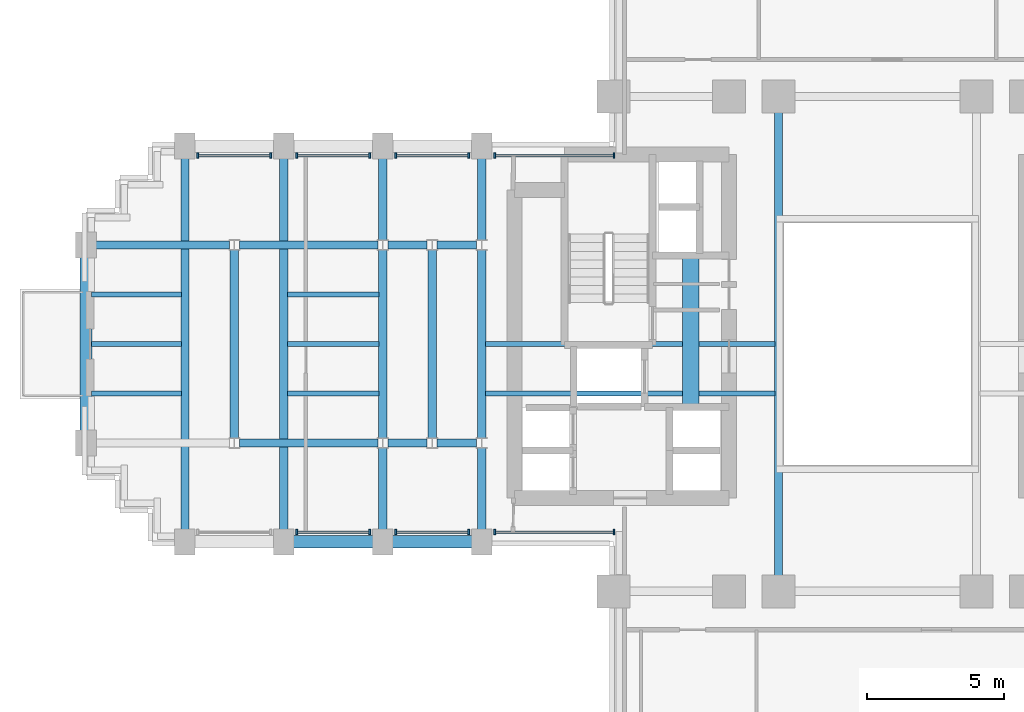
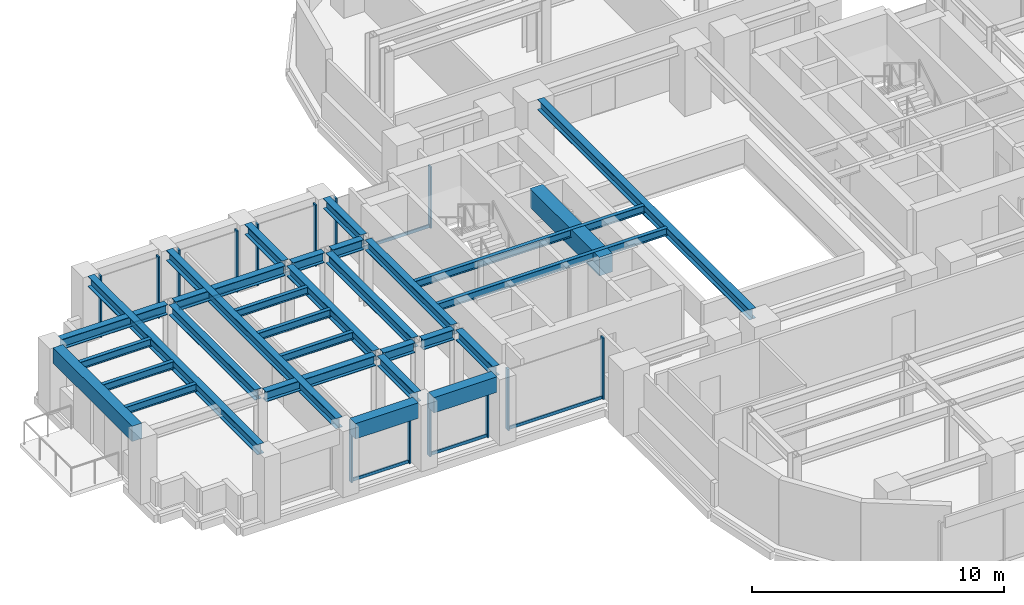
# One storey, part 4 of 15: 30 beams, 21 members, 7 elements without a shape of their own.
"""IFC4 building model written with IfcOpenShell, lengths in metres."""

from ifc_helpers import new_model, si_unit, direction, frame, origin, origin_2d, place, context, subcontext, project, spatial, rectangle, i_section, extrude, source, transform, mapped, material, material_profile, profile_set, type_object, element, aggregate, save


model = new_model("IFC4")

# Units and contexts
model_context = context("Model", 3, precision=1e-05, world=origin(), true_north=direction((0.0, 1.0)))
body_context = subcontext(model_context, "Body", "Model", "MODEL_VIEW")
ifc_project = project(units=[si_unit("LENGTHUNIT", "METRE"), si_unit("AREAUNIT", "SQUARE_METRE"), si_unit("VOLUMEUNIT", "CUBIC_METRE"), si_unit("PLANEANGLEUNIT", "RADIAN"), si_unit("MASSUNIT", "GRAM", prefix="KILO")], contexts=[model_context])

# Site, building, storey
site_placement = place(None, origin())
site = spatial("IfcSite", under=ifc_project, at=site_placement, CompositionType="ELEMENT")
building_placement = place(site_placement, origin())
building = spatial("IfcBuilding", under=site, at=building_placement, Name="Keilestroom Media Tower", CompositionType="ELEMENT")
storey_placement = place(building_placement, frame((0.0, 0.0, 47.60009765625)))
storey = spatial("IfcBuildingStorey", under=building, at=storey_placement, Name="L11", CompositionType="ELEMENT", Elevation=47.60009765625)

# Beams
ifc_material_1 = material(Name="Concrete C70/85", Category="concrete")
ifc_material_profile_1 = material_profile(ifc_material_1, rectangle(XDim=0.60009765625, YDim=0.89990234375, at=origin_2d()), Name="RC 600x900")
ifc_profile_set_1 = profile_set([ifc_material_profile_1], Name="Concrete C70/85")
beam_type_1 = type_object("IfcBeamType", Name="Core-Coupling-Lintel-Beam-RC-600x900", PredefinedType="LINTEL", material=ifc_profile_set_1)
shared_shape_1 = source(origin(), body_context, "Body", "SweptSolid", [
    extrude(rectangle(XDim=0.60009765625, YDim=0.89990234375, at=origin_2d()), origin(), (0.0, 0.0, 1.0), 5.52001953125),
])
beam_1_placement = place(storey_placement, frame((-6.800048828125, -2.300048828125, 2.75), z_axis=(0.0, 1.0, 0.0), x_axis=(-1.0, 0.0, 0.0)))
element("IfcBeam", 1, at=beam_1_placement, inside=storey, type_object=beam_type_1, Name="L11 Beam CLB-1 CLB-L11-W", PredefinedType="LINTEL", context=body_context, shape_type="MappedRepresentation", body=[
    mapped(shared_shape_1, transform((0.0, 0.0, 0.0), x_axis=(1.0, 0.0, 0.0), y_axis=(0.0, 1.0, 0.0), z_axis=(0.0, 0.0, 1.0), scale=1.0)),
])
ifc_material_2 = material(Name="Precast concrete C40/50", Category="concrete")
ifc_material_profile_2 = material_profile(ifc_material_2, rectangle(XDim=0.449951171875, YDim=0.75, at=origin_2d()), Name="PC 450x750")
ifc_profile_set_2 = profile_set([ifc_material_profile_2], Name="Precast concrete C40/50")
beam_type_2 = type_object("IfcBeamType", Name="Perimeter-Spandrel-Beam-PC-450x750", PredefinedType="SPANDREL", material=ifc_profile_set_2)
shared_shape_2 = source(origin(), body_context, "Body", "SweptSolid", [
    extrude(rectangle(XDim=0.449951171875, YDim=0.75, at=origin_2d()), origin(), (0.0, 0.0, 1.0), 6.2900390625),
])
beam_2_placement = place(storey_placement, frame((-28.800048828125, -3.14501953125, 2.824951171875), z_axis=(0.0, 1.0, 0.0), x_axis=(-1.0, 0.0, 0.0)))
element("IfcBeam", 2, at=beam_2_placement, inside=storey, type_object=beam_type_2, Name="L11 Beam SPB-1 BM-L11-NS-051", PredefinedType="SPANDREL", context=body_context, shape_type="MappedRepresentation", body=[
    mapped(shared_shape_2, transform((0.0, 0.0, 0.0), x_axis=(1.0, 0.0, 0.0), y_axis=(0.0, 1.0, 0.0), z_axis=(0.0, 0.0, 1.0), scale=1.0)),
])
shared_shape_3 = source(origin(), body_context, "Body", "SweptSolid", [
    extrude(rectangle(XDim=0.449951171875, YDim=0.75, at=origin_2d()), origin(), (0.0, 0.0, 1.0), 2.89013671875),
])
for number, where, z_axis, x_axis, name in (
    (3, (-21.2451171875, -7.199951171875, 2.824951171875), (1.0, 0.0, 0.0), (0.0, 1.0, 0.0), "L11 Beam SPB-1 BM-L11-EW-013"),
    (4, (-17.64501953125, -7.199951171875, 2.824951171875), (1.0, 0.0, 0.0), (0.0, 1.0, 0.0), "L11 Beam SPB-1 BM-L11-EW-014"),
):
    element("IfcBeam", number, at=place(storey_placement, frame(where, z_axis=z_axis, x_axis=x_axis)), inside=storey, type_object=beam_type_2, Name=name, PredefinedType="SPANDREL", context=body_context, shape_type="MappedRepresentation", body=[
        mapped(shared_shape_3, transform((0.0, 0.0, 0.0), x_axis=(1.0, 0.0, 0.0), y_axis=(0.0, 1.0, 0.0), z_axis=(0.0, 0.0, 1.0), scale=1.0)),
    ])
ifc_material_3 = material(Name="Steel S355", Category="steel")
ifc_material_profile_3 = material_profile(ifc_material_3, i_section(OverallWidth=0.300048828125, OverallDepth=0.5, WebThickness=0.012451171875, FlangeThickness=0.028076171875, at=origin_2d()), Name="HEB 500")
ifc_profile_set_3 = profile_set([ifc_material_profile_3], Name="Steel S355")
beam_type_3 = type_object("IfcBeamType", Name="Primary-Structural-Girder-HEB-500", PredefinedType="BEAM", material=ifc_profile_set_3)
shared_shape_4 = source(origin(), body_context, "Body", "SweptSolid", [
    extrude(i_section(OverallWidth=0.300048828125, OverallDepth=0.5, WebThickness=0.012451171875, FlangeThickness=0.028076171875, at=origin_2d()), origin(), (0.0, 0.0, 1.0), 13.490234375),
])
for number, where, z_axis, x_axis, name in (
    (5, (-25.199951171875, -6.7451171875, 2.949951171875), (0.0, 1.0, 0.0), (-1.0, 0.0, 0.0), "L11 Beam BG-6 BM-L11-NS-052"),
    (6, (-21.60009765625, -6.7451171875, 2.949951171875), (0.0, 1.0, 0.0), (-1.0, 0.0, 0.0), "L11 Beam BG-6 BM-L11-NS-054"),
):
    element("IfcBeam", number, at=place(storey_placement, frame(where, z_axis=z_axis, x_axis=x_axis)), inside=storey, type_object=beam_type_3, Name=name, PredefinedType="BEAM", context=body_context, shape_type="MappedRepresentation", body=[
        mapped(shared_shape_4, transform((0.0, 0.0, 0.0), x_axis=(1.0, 0.0, 0.0), y_axis=(0.0, 1.0, 0.0), z_axis=(0.0, 0.0, 1.0), scale=1.0)),
    ])
shared_shape_5 = source(origin(), body_context, "Body", "SweptSolid", [
    extrude(i_section(OverallWidth=0.300048828125, OverallDepth=0.5, WebThickness=0.012451171875, FlangeThickness=0.028076171875, at=origin_2d()), origin(), (0.0, 0.0, 1.0), 6.8330078125),
])
for number, where, z_axis, x_axis, name in (
    (7, (-23.39990234375, -3.41650390625, 2.949951171875), (0.0, 1.0, 0.0), (-1.0, 0.0, 0.0), "L11 Beam BG-6 BM-L11-NS-053"),
    (8, (-18.0, -3.41650390625, 2.949951171875), (0.0, 1.0, 0.0), (-1.0, 0.0, 0.0), "L11 Beam BG-6 BM-L11-NS-056"),
    (9, (-16.199951171875, -3.41650390625, 2.949951171875), (0.0, 1.0, 0.0), (-1.0, 0.0, 0.0), "L11 Beam BG-6 BM-L11-NS-058"),
    (10, (-14.39990234375, -3.41650390625, 2.949951171875), (0.0, 1.0, 0.0), (-1.0, 0.0, 0.0), "L11 Beam BG-6 BM-L11-NS-060"),
):
    element("IfcBeam", number, at=place(storey_placement, frame(where, z_axis=z_axis, x_axis=x_axis)), inside=storey, type_object=beam_type_3, Name=name, PredefinedType="BEAM", context=body_context, shape_type="MappedRepresentation", body=[
        mapped(shared_shape_5, transform((0.0, 0.0, 0.0), x_axis=(1.0, 0.0, 0.0), y_axis=(0.0, 1.0, 0.0), z_axis=(0.0, 0.0, 1.0), scale=1.0)),
    ])
shared_shape_6 = source(origin(), body_context, "Body", "SweptSolid", [
    extrude(i_section(OverallWidth=0.300048828125, OverallDepth=0.5, WebThickness=0.012451171875, FlangeThickness=0.028076171875, at=origin_2d()), origin(), (0.0, 0.0, 1.0), 2.961669921875),
])
for number, where, z_axis, x_axis, name in (
    (11, (-18.0, -6.7451171875, 2.949951171875), (0.0, 1.0, 0.0), (-1.0, 0.0, 0.0), "L11 Beam BG-6 BM-L11-NS-055"),
    (12, (-18.0, 3.783447265625, 2.949951171875), (0.0, 1.0, 0.0), (-1.0, 0.0, 0.0), "L11 Beam BG-6 BM-L11-NS-057"),
    (13, (-14.39990234375, -6.7451171875, 2.949951171875), (0.0, 1.0, 0.0), (-1.0, 0.0, 0.0), "L11 Beam BG-6 BM-L11-NS-059"),
    (14, (-14.39990234375, 3.783447265625, 2.949951171875), (0.0, 1.0, 0.0), (-1.0, 0.0, 0.0), "L11 Beam BG-6 BM-L11-NS-061"),
):
    element("IfcBeam", number, at=place(storey_placement, frame(where, z_axis=z_axis, x_axis=x_axis)), inside=storey, type_object=beam_type_3, Name=name, PredefinedType="BEAM", context=body_context, shape_type="MappedRepresentation", body=[
        mapped(shared_shape_6, transform((0.0, 0.0, 0.0), x_axis=(1.0, 0.0, 0.0), y_axis=(0.0, 1.0, 0.0), z_axis=(0.0, 0.0, 1.0), scale=1.0)),
    ])
shared_shape_7 = source(origin(), body_context, "Body", "SweptSolid", [
    extrude(i_section(OverallWidth=0.300048828125, OverallDepth=0.5, WebThickness=0.012451171875, FlangeThickness=0.028076171875, at=origin_2d()), origin(), (0.0, 0.0, 1.0), 16.83984375),
])
beam_3_placement = place(storey_placement, frame((-3.60009765625, -8.419921875, 2.949951171875), z_axis=(0.0, 1.0, 0.0), x_axis=(-1.0, 0.0, 0.0)))
element("IfcBeam", 15, at=beam_3_placement, inside=storey, type_object=beam_type_3, Name="L11 Beam BG-6 BM-L11-NS-066", PredefinedType="BEAM", context=body_context, shape_type="MappedRepresentation", body=[
    mapped(shared_shape_7, transform((0.0, 0.0, 0.0), x_axis=(1.0, 0.0, 0.0), y_axis=(0.0, 1.0, 0.0), z_axis=(0.0, 0.0, 1.0), scale=1.0)),
])
ifc_material_profile_4 = material_profile(ifc_material_3, i_section(OverallWidth=0.300048828125, OverallDepth=0.489990234375, WebThickness=0.011962890625, FlangeThickness=0.02294921875, at=origin_2d()), Name="HEA 500")
ifc_profile_set_4 = profile_set([ifc_material_profile_4], Name="Steel S355")
beam_type_4 = type_object("IfcBeamType", Name="Primary-Structural-Girder-HEA-500", PredefinedType="BEAM", material=ifc_profile_set_4)
shared_shape_8 = source(origin(), body_context, "Body", "SweptSolid", [
    extrude(i_section(OverallWidth=0.300048828125, OverallDepth=0.489990234375, WebThickness=0.011962890625, FlangeThickness=0.02294921875, at=origin_2d()), origin(), (0.0, 0.0, 1.0), 4.863037109375),
])
beam_4_placement = place(storey_placement, frame((-28.445068359375, 3.60009765625, 2.954833984375), z_axis=(1.0, 0.0, 0.0), x_axis=(0.0, 1.0, 0.0)))
element("IfcBeam", 16, at=beam_4_placement, inside=storey, type_object=beam_type_4, Name="L11 Beam BG-10 BM-L11-EW-026", PredefinedType="BEAM", context=body_context, shape_type="MappedRepresentation", body=[
    mapped(shared_shape_8, transform((0.0, 0.0, 0.0), x_axis=(1.0, 0.0, 0.0), y_axis=(0.0, 1.0, 0.0), z_axis=(0.0, 0.0, 1.0), scale=1.0)),
])
shared_shape_9 = source(origin(), body_context, "Body", "SweptSolid", [
    extrude(i_section(OverallWidth=0.300048828125, OverallDepth=0.489990234375, WebThickness=0.011962890625, FlangeThickness=0.02294921875, at=origin_2d()), origin(), (0.0, 0.0, 1.0), 5.0361328125),
])
for number, where, z_axis, x_axis, name in (
    (17, (-23.218017578125, -3.60009765625, 2.954833984375), (1.0, 0.0, 0.0), (0.0, 1.0, 0.0), "L11 Beam BG-10 BM-L11-EW-019"),
    (18, (-23.218017578125, 3.60009765625, 2.954833984375), (1.0, 0.0, 0.0), (0.0, 1.0, 0.0), "L11 Beam BG-10 BM-L11-EW-027"),
):
    element("IfcBeam", number, at=place(storey_placement, frame(where, z_axis=z_axis, x_axis=x_axis)), inside=storey, type_object=beam_type_4, Name=name, PredefinedType="BEAM", context=body_context, shape_type="MappedRepresentation", body=[
        mapped(shared_shape_9, transform((0.0, 0.0, 0.0), x_axis=(1.0, 0.0, 0.0), y_axis=(0.0, 1.0, 0.0), z_axis=(0.0, 0.0, 1.0), scale=1.0)),
    ])
shared_shape_10 = source(origin(), body_context, "Body", "SweptSolid", [
    extrude(i_section(OverallWidth=0.300048828125, OverallDepth=0.489990234375, WebThickness=0.011962890625, FlangeThickness=0.02294921875, at=origin_2d()), origin(), (0.0, 0.0, 1.0), 1.43603515625),
])
for number, where, z_axis, x_axis, name in (
    (19, (-17.818115234375, -3.60009765625, 2.954833984375), (1.0, 0.0, 0.0), (0.0, 1.0, 0.0), "L11 Beam BG-10 BM-L11-EW-020"),
    (20, (-16.01806640625, -3.60009765625, 2.954833984375), (1.0, 0.0, 0.0), (0.0, 1.0, 0.0), "L11 Beam BG-10 BM-L11-EW-021"),
    (21, (-17.818115234375, 3.60009765625, 2.954833984375), (1.0, 0.0, 0.0), (0.0, 1.0, 0.0), "L11 Beam BG-10 BM-L11-EW-028"),
    (22, (-16.01806640625, 3.60009765625, 2.954833984375), (1.0, 0.0, 0.0), (0.0, 1.0, 0.0), "L11 Beam BG-10 BM-L11-EW-029"),
):
    element("IfcBeam", number, at=place(storey_placement, frame(where, z_axis=z_axis, x_axis=x_axis)), inside=storey, type_object=beam_type_4, Name=name, PredefinedType="BEAM", context=body_context, shape_type="MappedRepresentation", body=[
        mapped(shared_shape_10, transform((0.0, 0.0, 0.0), x_axis=(1.0, 0.0, 0.0), y_axis=(0.0, 1.0, 0.0), z_axis=(0.0, 0.0, 1.0), scale=1.0)),
    ])
ifc_material_profile_5 = material_profile(ifc_material_3, i_section(OverallWidth=0.169921875, OverallDepth=0.360107421875, WebThickness=0.008056640625, FlangeThickness=0.0126953125, at=origin_2d()), Name="IPE 360")
ifc_profile_set_5 = profile_set([ifc_material_profile_5], Name="Steel S355")
beam_type_5 = type_object("IfcBeamType", Name="Secondary-Floor-Joist-IPE-360", PredefinedType="JOIST", material=ifc_profile_set_5)
shared_shape_11 = source(origin(), body_context, "Body", "SweptSolid", [
    extrude(i_section(OverallWidth=0.169921875, OverallDepth=0.360107421875, WebThickness=0.008056640625, FlangeThickness=0.0126953125, at=origin_2d()), origin(), (0.0, 0.0, 1.0), 3.264892578125),
])
for number, where, z_axis, x_axis, name in (
    (23, (-28.594970703125, -1.800048828125, 3.02001953125), (1.0, 0.0, 0.0), (0.0, 1.0, 0.0), "L11 Beam BJ-5 JST-L11-089"),
    (24, (-28.594970703125, 0.0, 3.02001953125), (1.0, 0.0, 0.0), (0.0, 1.0, 0.0), "L11 Beam BJ-5 JST-L11-096"),
    (25, (-28.594970703125, 1.800048828125, 3.02001953125), (1.0, 0.0, 0.0), (0.0, 1.0, 0.0), "L11 Beam BJ-5 JST-L11-103"),
):
    element("IfcBeam", number, at=place(storey_placement, frame(where, z_axis=z_axis, x_axis=x_axis)), inside=storey, type_object=beam_type_5, Name=name, PredefinedType="JOIST", context=body_context, shape_type="MappedRepresentation", body=[
        mapped(shared_shape_11, transform((0.0, 0.0, 0.0), x_axis=(1.0, 0.0, 0.0), y_axis=(0.0, 1.0, 0.0), z_axis=(0.0, 0.0, 1.0), scale=1.0)),
    ])
shared_shape_12 = source(origin(), body_context, "Body", "SweptSolid", [
    extrude(i_section(OverallWidth=0.169921875, OverallDepth=0.360107421875, WebThickness=0.008056640625, FlangeThickness=0.0126953125, at=origin_2d()), origin(), (0.0, 0.0, 1.0), 3.340087890625),
])
for number, where, z_axis, x_axis, name in (
    (26, (-21.469970703125, -1.800048828125, 3.02001953125), (1.0, 0.0, 0.0), (0.0, 1.0, 0.0), "L11 Beam BJ-5 JST-L11-090"),
    (27, (-21.469970703125, 0.0, 3.02001953125), (1.0, 0.0, 0.0), (0.0, 1.0, 0.0), "L11 Beam BJ-5 JST-L11-097"),
    (28, (-21.469970703125, 1.800048828125, 3.02001953125), (1.0, 0.0, 0.0), (0.0, 1.0, 0.0), "L11 Beam BJ-5 JST-L11-104"),
):
    element("IfcBeam", number, at=place(storey_placement, frame(where, z_axis=z_axis, x_axis=x_axis)), inside=storey, type_object=beam_type_5, Name=name, PredefinedType="JOIST", context=body_context, shape_type="MappedRepresentation", body=[
        mapped(shared_shape_12, transform((0.0, 0.0, 0.0), x_axis=(1.0, 0.0, 0.0), y_axis=(0.0, 1.0, 0.0), z_axis=(0.0, 0.0, 1.0), scale=1.0)),
    ])
shared_shape_13 = source(origin(), body_context, "Body", "SweptSolid", [
    extrude(i_section(OverallWidth=0.169921875, OverallDepth=0.360107421875, WebThickness=0.008056640625, FlangeThickness=0.0126953125, at=origin_2d()), origin(), (0.0, 0.0, 1.0), 10.5400390625),
])
for number, where, z_axis, x_axis, name in (
    (29, (-14.27001953125, -1.800048828125, 3.02001953125), (1.0, 0.0, 0.0), (0.0, 1.0, 0.0), "L11 Beam BJ-5 JST-L11-091"),
    (30, (-14.27001953125, 0.0, 3.02001953125), (1.0, 0.0, 0.0), (0.0, 1.0, 0.0), "L11 Beam BJ-5 JST-L11-098"),
):
    element("IfcBeam", number, at=place(storey_placement, frame(where, z_axis=z_axis, x_axis=x_axis)), inside=storey, type_object=beam_type_5, Name=name, PredefinedType="JOIST", context=body_context, shape_type="MappedRepresentation", body=[
        mapped(shared_shape_13, transform((0.0, 0.0, 0.0), x_axis=(1.0, 0.0, 0.0), y_axis=(0.0, 1.0, 0.0), z_axis=(0.0, 0.0, 1.0), scale=1.0)),
    ])

# Curtain wall, members
ifc_material_4 = material(Name="Anodised Aluminium Alloy", Category="aluminium")
curtain_wall_type = type_object("IfcCurtainWallType", Name="Unitised-Curtain-Wall-CW-1", PredefinedType="NOTDEFINED", material=ifc_material_4)
curtain_wall_1_placement = place(storey_placement, origin())
curtain_wall_1 = element("IfcCurtainWall", 31, at=curtain_wall_1_placement, inside=storey, type_object=curtain_wall_type, Name="L11 Curtain Wall CW-1 CW-L11-NW-1", PredefinedType="NOTDEFINED")
ifc_material_profile_6 = material_profile(ifc_material_4, rectangle(XDim=0.070068359375, YDim=0.199951171875, at=origin_2d()), Name="ALU MULLION 70x200")
ifc_profile_set_6 = profile_set([ifc_material_profile_6], Name="Anodised Aluminium Alloy")
member_type_1 = type_object("IfcMemberType", Name="Curtain-Wall-Mullion-CW-1", PredefinedType="MULLION", material=ifc_profile_set_6)
shared_shape_14 = source(origin(), body_context, "Body", "SweptSolid", [
    extrude(rectangle(XDim=0.070068359375, YDim=0.199951171875, at=origin_2d()), origin(), (0.0, 0.0, 1.0), 2.97998046875),
])
member_1_placement = place(storey_placement, frame((-24.72998046875, 6.85009765625, 0.0), z_axis=(0.0, 0.0, 1.0), x_axis=(1.0, 0.0, 0.0)))
member_1 = element("IfcMember", 32, at=member_1_placement, type_object=member_type_1, Name="CW-1 Mullion 00", PredefinedType="MULLION", context=body_context, shape_type="MappedRepresentation", body=[
    mapped(shared_shape_14, transform((0.0, 0.0, 0.0), x_axis=(1.0, 0.0, 0.0), y_axis=(0.0, 1.0, 0.0), z_axis=(0.0, 0.0, 1.0), scale=1.0)),
])
member_2_placement = place(storey_placement, frame((-22.070068359375, 6.85009765625, 0.0), z_axis=(0.0, 0.0, 1.0), x_axis=(1.0, 0.0, 0.0)))
member_2 = element("IfcMember", 33, at=member_2_placement, type_object=member_type_1, Name="CW-1 Mullion 01", PredefinedType="MULLION", context=body_context, shape_type="MappedRepresentation", body=[
    mapped(shared_shape_14, transform((0.0, 0.0, 0.0), x_axis=(1.0, 0.0, 0.0), y_axis=(0.0, 1.0, 0.0), z_axis=(0.0, 0.0, 1.0), scale=1.0)),
])

curtain_wall_2_placement = place(storey_placement, origin())
curtain_wall_2 = element("IfcCurtainWall", 34, at=curtain_wall_2_placement, inside=storey, type_object=curtain_wall_type, Name="L11 Curtain Wall CW-1 CW-L11-NW-2", PredefinedType="NOTDEFINED")
member_3_placement = place(storey_placement, frame((-21.1298828125, 6.85009765625, 0.0), z_axis=(0.0, 0.0, 1.0), x_axis=(1.0, 0.0, 0.0)))
member_3 = element("IfcMember", 35, at=member_3_placement, type_object=member_type_1, Name="CW-1 Mullion 00", PredefinedType="MULLION", context=body_context, shape_type="MappedRepresentation", body=[
    mapped(shared_shape_14, transform((0.0, 0.0, 0.0), x_axis=(1.0, 0.0, 0.0), y_axis=(0.0, 1.0, 0.0), z_axis=(0.0, 0.0, 1.0), scale=1.0)),
])
member_4_placement = place(storey_placement, frame((-18.469970703125, 6.85009765625, 0.0), z_axis=(0.0, 0.0, 1.0), x_axis=(1.0, 0.0, 0.0)))
member_4 = element("IfcMember", 36, at=member_4_placement, type_object=member_type_1, Name="CW-1 Mullion 01", PredefinedType="MULLION", context=body_context, shape_type="MappedRepresentation", body=[
    mapped(shared_shape_14, transform((0.0, 0.0, 0.0), x_axis=(1.0, 0.0, 0.0), y_axis=(0.0, 1.0, 0.0), z_axis=(0.0, 0.0, 1.0), scale=1.0)),
])

curtain_wall_3_placement = place(storey_placement, origin())
curtain_wall_3 = element("IfcCurtainWall", 37, at=curtain_wall_3_placement, inside=storey, type_object=curtain_wall_type, Name="L11 Curtain Wall CW-1 CW-L11-NW-3", PredefinedType="NOTDEFINED")
member_5_placement = place(storey_placement, frame((-17.530029296875, 6.85009765625, 0.0), z_axis=(0.0, 0.0, 1.0), x_axis=(1.0, 0.0, 0.0)))
member_5 = element("IfcMember", 38, at=member_5_placement, type_object=member_type_1, Name="CW-1 Mullion 00", PredefinedType="MULLION", context=body_context, shape_type="MappedRepresentation", body=[
    mapped(shared_shape_14, transform((0.0, 0.0, 0.0), x_axis=(1.0, 0.0, 0.0), y_axis=(0.0, 1.0, 0.0), z_axis=(0.0, 0.0, 1.0), scale=1.0)),
])
member_6_placement = place(storey_placement, frame((-14.8701171875, 6.85009765625, 0.0), z_axis=(0.0, 0.0, 1.0), x_axis=(1.0, 0.0, 0.0)))
member_6 = element("IfcMember", 39, at=member_6_placement, type_object=member_type_1, Name="CW-1 Mullion 01", PredefinedType="MULLION", context=body_context, shape_type="MappedRepresentation", body=[
    mapped(shared_shape_14, transform((0.0, 0.0, 0.0), x_axis=(1.0, 0.0, 0.0), y_axis=(0.0, 1.0, 0.0), z_axis=(0.0, 0.0, 1.0), scale=1.0)),
])

curtain_wall_4_placement = place(storey_placement, origin())
curtain_wall_4 = element("IfcCurtainWall", 40, at=curtain_wall_4_placement, inside=storey, type_object=curtain_wall_type, Name="L11 Curtain Wall CW-1 CW-L11-NW-4", PredefinedType="NOTDEFINED")
member_7_placement = place(storey_placement, frame((-13.929931640625, 6.85009765625, 0.0), z_axis=(0.0, 0.0, 1.0), x_axis=(1.0, 0.0, 0.0)))
member_7 = element("IfcMember", 41, at=member_7_placement, type_object=member_type_1, Name="CW-1 Mullion 00", PredefinedType="MULLION", context=body_context, shape_type="MappedRepresentation", body=[
    mapped(shared_shape_14, transform((0.0, 0.0, 0.0), x_axis=(1.0, 0.0, 0.0), y_axis=(0.0, 1.0, 0.0), z_axis=(0.0, 0.0, 1.0), scale=1.0)),
])
member_8_placement = place(storey_placement, frame((-9.5849609375, 6.85009765625, 0.0), z_axis=(0.0, 0.0, 1.0), x_axis=(1.0, 0.0, 0.0)))
member_8 = element("IfcMember", 42, at=member_8_placement, type_object=member_type_1, Name="CW-1 Mullion 01", PredefinedType="MULLION", context=body_context, shape_type="MappedRepresentation", body=[
    mapped(shared_shape_14, transform((0.0, 0.0, 0.0), x_axis=(1.0, 0.0, 0.0), y_axis=(0.0, 1.0, 0.0), z_axis=(0.0, 0.0, 1.0), scale=1.0)),
])

curtain_wall_5_placement = place(storey_placement, origin())
curtain_wall_5 = element("IfcCurtainWall", 43, at=curtain_wall_5_placement, inside=storey, type_object=curtain_wall_type, Name="L11 Curtain Wall CW-1 CW-L11-SW-2", PredefinedType="NOTDEFINED")
member_9_placement = place(storey_placement, frame((-21.1298828125, -6.85009765625, 0.0), z_axis=(0.0, 0.0, 1.0), x_axis=(1.0, 0.0, 0.0)))
member_9 = element("IfcMember", 44, at=member_9_placement, type_object=member_type_1, Name="CW-1 Mullion 00", PredefinedType="MULLION", context=body_context, shape_type="MappedRepresentation", body=[
    mapped(shared_shape_14, transform((0.0, 0.0, 0.0), x_axis=(1.0, 0.0, 0.0), y_axis=(0.0, 1.0, 0.0), z_axis=(0.0, 0.0, 1.0), scale=1.0)),
])
member_10_placement = place(storey_placement, frame((-18.469970703125, -6.85009765625, 0.0), z_axis=(0.0, 0.0, 1.0), x_axis=(1.0, 0.0, 0.0)))
member_10 = element("IfcMember", 45, at=member_10_placement, type_object=member_type_1, Name="CW-1 Mullion 01", PredefinedType="MULLION", context=body_context, shape_type="MappedRepresentation", body=[
    mapped(shared_shape_14, transform((0.0, 0.0, 0.0), x_axis=(1.0, 0.0, 0.0), y_axis=(0.0, 1.0, 0.0), z_axis=(0.0, 0.0, 1.0), scale=1.0)),
])

curtain_wall_6_placement = place(storey_placement, origin())
curtain_wall_6 = element("IfcCurtainWall", 46, at=curtain_wall_6_placement, inside=storey, type_object=curtain_wall_type, Name="L11 Curtain Wall CW-1 CW-L11-SW-3", PredefinedType="NOTDEFINED")
member_11_placement = place(storey_placement, frame((-17.530029296875, -6.85009765625, 0.0), z_axis=(0.0, 0.0, 1.0), x_axis=(1.0, 0.0, 0.0)))
member_11 = element("IfcMember", 47, at=member_11_placement, type_object=member_type_1, Name="CW-1 Mullion 00", PredefinedType="MULLION", context=body_context, shape_type="MappedRepresentation", body=[
    mapped(shared_shape_14, transform((0.0, 0.0, 0.0), x_axis=(1.0, 0.0, 0.0), y_axis=(0.0, 1.0, 0.0), z_axis=(0.0, 0.0, 1.0), scale=1.0)),
])
member_12_placement = place(storey_placement, frame((-14.8701171875, -6.85009765625, 0.0), z_axis=(0.0, 0.0, 1.0), x_axis=(1.0, 0.0, 0.0)))
member_12 = element("IfcMember", 48, at=member_12_placement, type_object=member_type_1, Name="CW-1 Mullion 01", PredefinedType="MULLION", context=body_context, shape_type="MappedRepresentation", body=[
    mapped(shared_shape_14, transform((0.0, 0.0, 0.0), x_axis=(1.0, 0.0, 0.0), y_axis=(0.0, 1.0, 0.0), z_axis=(0.0, 0.0, 1.0), scale=1.0)),
])

curtain_wall_7_placement = place(storey_placement, origin())
curtain_wall_7 = element("IfcCurtainWall", 49, at=curtain_wall_7_placement, inside=storey, type_object=curtain_wall_type, Name="L11 Curtain Wall CW-1 CW-L11-SW-4", PredefinedType="NOTDEFINED")
member_13_placement = place(storey_placement, frame((-13.929931640625, -6.85009765625, 0.0), z_axis=(0.0, 0.0, 1.0), x_axis=(1.0, 0.0, 0.0)))
member_13 = element("IfcMember", 50, at=member_13_placement, type_object=member_type_1, Name="CW-1 Mullion 00", PredefinedType="MULLION", context=body_context, shape_type="MappedRepresentation", body=[
    mapped(shared_shape_14, transform((0.0, 0.0, 0.0), x_axis=(1.0, 0.0, 0.0), y_axis=(0.0, 1.0, 0.0), z_axis=(0.0, 0.0, 1.0), scale=1.0)),
])
member_14_placement = place(storey_placement, frame((-9.5849609375, -6.85009765625, 0.0), z_axis=(0.0, 0.0, 1.0), x_axis=(1.0, 0.0, 0.0)))
member_14 = element("IfcMember", 51, at=member_14_placement, type_object=member_type_1, Name="CW-1 Mullion 01", PredefinedType="MULLION", context=body_context, shape_type="MappedRepresentation", body=[
    mapped(shared_shape_14, transform((0.0, 0.0, 0.0), x_axis=(1.0, 0.0, 0.0), y_axis=(0.0, 1.0, 0.0), z_axis=(0.0, 0.0, 1.0), scale=1.0)),
])

# Member
ifc_material_profile_7 = material_profile(ifc_material_4, rectangle(XDim=0.06494140625, YDim=0.14990234375, at=origin_2d()), Name="ALU TRANSOM 65x150")
ifc_profile_set_7 = profile_set([ifc_material_profile_7], Name="Anodised Aluminium Alloy")
member_type_2 = type_object("IfcMemberType", Name="Curtain-Wall-Transom-CW-1", PredefinedType="USERDEFINED", material=ifc_profile_set_7)
shared_shape_15 = source(origin(), body_context, "Body", "SweptSolid", [
    extrude(rectangle(XDim=0.06494140625, YDim=0.14990234375, at=origin_2d()), origin(), (0.0, 0.0, 1.0), 2.593994140625),
])
member_15_placement = place(storey_placement, frame((-24.697021484375, 6.85009765625, 0.074951171875), z_axis=(1.0, 0.0, 0.0), x_axis=(0.0, 1.0, 0.0)))
member_15 = element("IfcMember", 52, at=member_15_placement, type_object=member_type_2, Name="CW-1 Transom 00.1", ObjectType="TRANSOM", PredefinedType="USERDEFINED", context=body_context, shape_type="MappedRepresentation", body=[
    mapped(shared_shape_15, transform((0.0, 0.0, 0.0), x_axis=(1.0, 0.0, 0.0), y_axis=(0.0, 1.0, 0.0), z_axis=(0.0, 0.0, 1.0), scale=1.0)),
])

aggregate(curtain_wall_1, [member_1, member_2, member_15])

member_16_placement = place(storey_placement, frame((-21.096923828125, 6.85009765625, 0.074951171875), z_axis=(1.0, 0.0, 0.0), x_axis=(0.0, 1.0, 0.0)))
member_16 = element("IfcMember", 53, at=member_16_placement, type_object=member_type_2, Name="CW-1 Transom 00.1", ObjectType="TRANSOM", PredefinedType="USERDEFINED", context=body_context, shape_type="MappedRepresentation", body=[
    mapped(shared_shape_15, transform((0.0, 0.0, 0.0), x_axis=(1.0, 0.0, 0.0), y_axis=(0.0, 1.0, 0.0), z_axis=(0.0, 0.0, 1.0), scale=1.0)),
])

aggregate(curtain_wall_2, [member_3, member_4, member_16])

member_17_placement = place(storey_placement, frame((-17.4970703125, 6.85009765625, 0.074951171875), z_axis=(1.0, 0.0, 0.0), x_axis=(0.0, 1.0, 0.0)))
member_17 = element("IfcMember", 54, at=member_17_placement, type_object=member_type_2, Name="CW-1 Transom 00.1", ObjectType="TRANSOM", PredefinedType="USERDEFINED", context=body_context, shape_type="MappedRepresentation", body=[
    mapped(shared_shape_15, transform((0.0, 0.0, 0.0), x_axis=(1.0, 0.0, 0.0), y_axis=(0.0, 1.0, 0.0), z_axis=(0.0, 0.0, 1.0), scale=1.0)),
])

aggregate(curtain_wall_3, [member_5, member_6, member_17])

member_18_placement = place(storey_placement, frame((-21.096923828125, -6.85009765625, 0.074951171875), z_axis=(1.0, 0.0, 0.0), x_axis=(0.0, 1.0, 0.0)))
member_18 = element("IfcMember", 55, at=member_18_placement, type_object=member_type_2, Name="CW-1 Transom 00.1", ObjectType="TRANSOM", PredefinedType="USERDEFINED", context=body_context, shape_type="MappedRepresentation", body=[
    mapped(shared_shape_15, transform((0.0, 0.0, 0.0), x_axis=(1.0, 0.0, 0.0), y_axis=(0.0, 1.0, 0.0), z_axis=(0.0, 0.0, 1.0), scale=1.0)),
])

aggregate(curtain_wall_5, [member_9, member_10, member_18])

member_19_placement = place(storey_placement, frame((-17.4970703125, -6.85009765625, 0.074951171875), z_axis=(1.0, 0.0, 0.0), x_axis=(0.0, 1.0, 0.0)))
member_19 = element("IfcMember", 56, at=member_19_placement, type_object=member_type_2, Name="CW-1 Transom 00.1", ObjectType="TRANSOM", PredefinedType="USERDEFINED", context=body_context, shape_type="MappedRepresentation", body=[
    mapped(shared_shape_15, transform((0.0, 0.0, 0.0), x_axis=(1.0, 0.0, 0.0), y_axis=(0.0, 1.0, 0.0), z_axis=(0.0, 0.0, 1.0), scale=1.0)),
])

aggregate(curtain_wall_6, [member_11, member_12, member_19])

shared_shape_16 = source(origin(), body_context, "Body", "SweptSolid", [
    extrude(rectangle(XDim=0.06494140625, YDim=0.14990234375, at=origin_2d()), origin(), (0.0, 0.0, 1.0), 4.279052734375),
])
member_20_placement = place(storey_placement, frame((-13.89697265625, 6.85009765625, 0.074951171875), z_axis=(1.0, 0.0, 0.0), x_axis=(0.0, 1.0, 0.0)))
member_20 = element("IfcMember", 57, at=member_20_placement, type_object=member_type_2, Name="CW-1 Transom 00.1", ObjectType="TRANSOM", PredefinedType="USERDEFINED", context=body_context, shape_type="MappedRepresentation", body=[
    mapped(shared_shape_16, transform((0.0, 0.0, 0.0), x_axis=(1.0, 0.0, 0.0), y_axis=(0.0, 1.0, 0.0), z_axis=(0.0, 0.0, 1.0), scale=1.0)),
])

aggregate(curtain_wall_4, [member_7, member_8, member_20])

member_21_placement = place(storey_placement, frame((-13.89697265625, -6.85009765625, 0.074951171875), z_axis=(1.0, 0.0, 0.0), x_axis=(0.0, 1.0, 0.0)))
member_21 = element("IfcMember", 58, at=member_21_placement, type_object=member_type_2, Name="CW-1 Transom 00.1", ObjectType="TRANSOM", PredefinedType="USERDEFINED", context=body_context, shape_type="MappedRepresentation", body=[
    mapped(shared_shape_16, transform((0.0, 0.0, 0.0), x_axis=(1.0, 0.0, 0.0), y_axis=(0.0, 1.0, 0.0), z_axis=(0.0, 0.0, 1.0), scale=1.0)),
])

aggregate(curtain_wall_7, [member_13, member_14, member_21])

save(model, "model.ifc")
